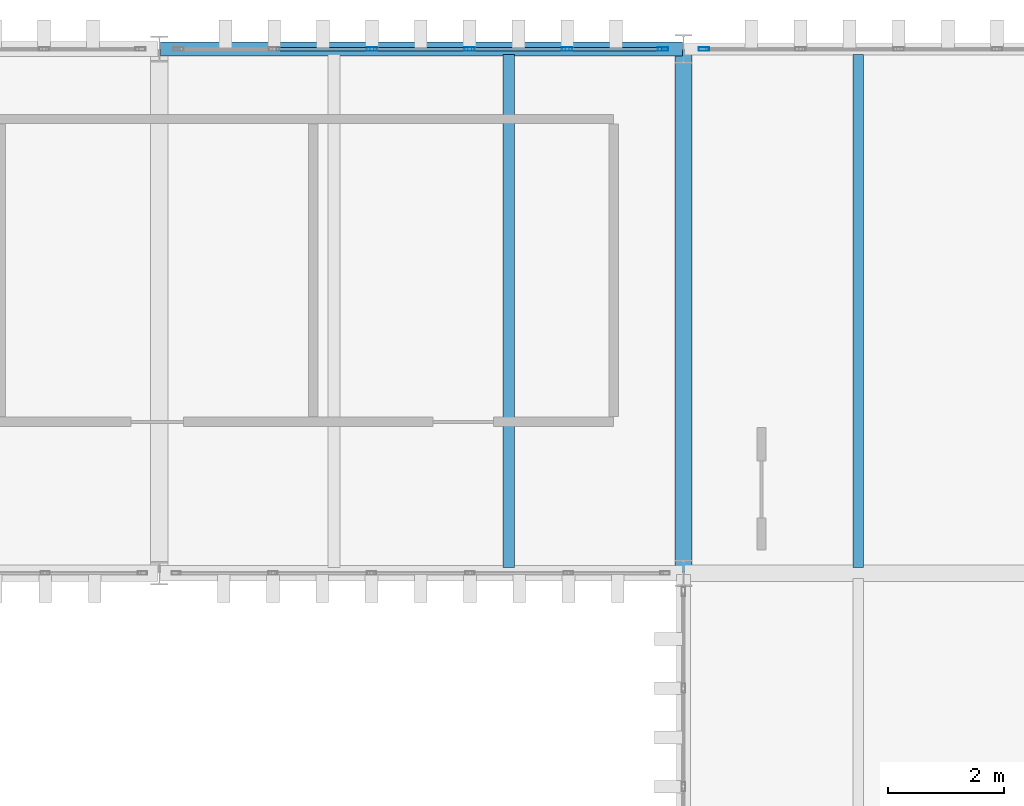
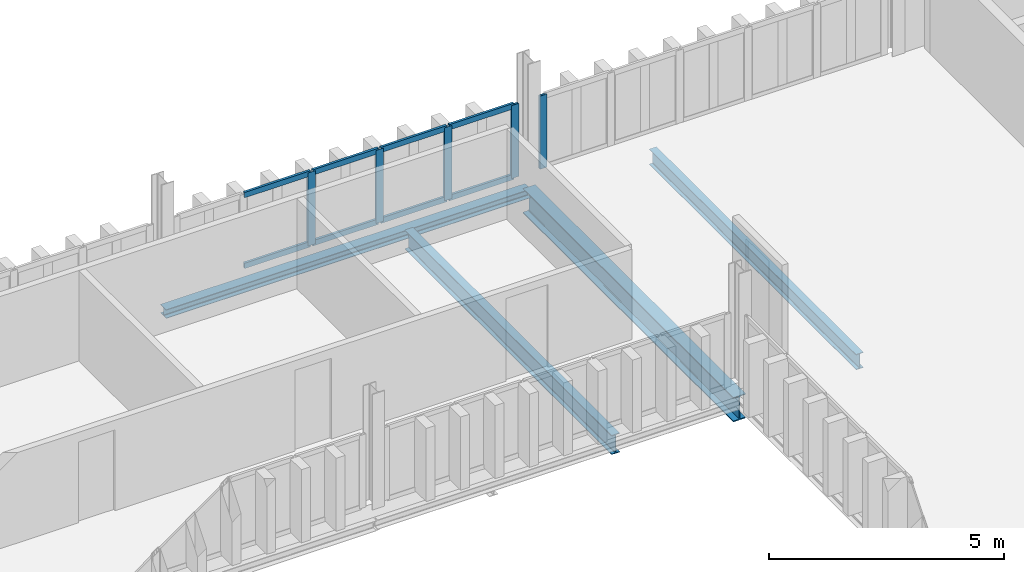
# One storey, part 41 of 58: 13 members, 4 beams, 2 elements without a shape of their own.
"""IFC4 building model written with IfcOpenShell, lengths in metres."""

from ifc_helpers import new_model, si_unit, direction, frame, origin, origin_2d, place, context, subcontext, project, spatial, hollow_rectangle, i_section, extrude, material, layer, layer_set, material_profile, profile_set, type_object, element, aggregate, save


model = new_model("IFC4")

# Units and contexts
model_context = context("Model", 3, precision=1e-05, world=origin(), true_north=direction((0.0, 1.0)))
body_context = subcontext(model_context, "Body", "Model", "MODEL_VIEW")
ifc_project = project(units=[si_unit("LENGTHUNIT", "METRE"), si_unit("AREAUNIT", "SQUARE_METRE"), si_unit("VOLUMEUNIT", "CUBIC_METRE"), si_unit("PLANEANGLEUNIT", "RADIAN"), si_unit("MASSUNIT", "GRAM", prefix="KILO")], contexts=[model_context])

# Site, building, storey
site_placement = place(None, origin())
site = spatial("IfcSite", under=ifc_project, at=site_placement, CompositionType="ELEMENT")
building_placement = place(site_placement, origin())
building = spatial("IfcBuilding", under=site, at=building_placement, Name="Barlavento Convention Centre", CompositionType="ELEMENT")
storey_placement = place(building_placement, frame((0.0, 0.0, 26.800048828125)))
storey = spatial("IfcBuildingStorey", under=building, at=storey_placement, Name="L05", CompositionType="ELEMENT", Elevation=26.800048828125)

# Curtain wall, members
ifc_material_1 = material(Name="Powder-coated aluminium and Low-E glass", Category="aluminium")
ifc_layer = layer(ifc_material_1, 0.18994140625)
ifc_layer_set = layer_set([ifc_layer], Name="ARC-CW-CONF-L05")
curtain_wall_type = type_object("IfcCurtainWallType", Name="ARC-CW-CONF-L05", PredefinedType="NOTDEFINED", material=ifc_layer_set)
curtain_wall_1_placement = place(storey_placement, origin())
curtain_wall_1 = element("IfcCurtainWall", 1, at=curtain_wall_1_placement, inside=storey, type_object=curtain_wall_type, Name="L05 unitised curtain wall CW10", PredefinedType="NOTDEFINED")
ifc_material_2 = material(Name="Powder-coated aluminium", Category="aluminium")
ifc_material_profile_1 = material_profile(ifc_material_2, hollow_rectangle(XDim=0.06005859375, YDim=0.179931640625, WallThickness=0.0048828125, at=origin_2d()), Name="AL-MULL 60x180x5")
ifc_profile_set_1 = profile_set([ifc_material_profile_1], Name="Powder-coated aluminium")
member_type_1 = type_object("IfcMemberType", Name="ARC-CWM-60X180", PredefinedType="MULLION", material=ifc_profile_set_1)
member_1_placement = place(storey_placement, frame((165.64892578125, 99.0, 0.0), z_axis=(0.0, 0.0, 1.0), x_axis=(0.0, 1.0, 0.0)))
member_1 = element("IfcMember", 2, at=member_1_placement, type_object=member_type_1, Name="CW10 mullion 3", PredefinedType="MULLION", context=body_context, shape_type="SweptSolid", body=[
    extrude(hollow_rectangle(XDim=0.06005859375, YDim=0.179931640625, WallThickness=0.0048828125, at=origin_2d()), origin(), (0.0, 0.0, 1.0), 1.89990234375),
])
member_2_placement = place(storey_placement, frame((167.325927734375, 99.0, 0.0), z_axis=(0.0, 0.0, 1.0), x_axis=(0.0, 1.0, 0.0)))
member_2 = element("IfcMember", 3, at=member_2_placement, type_object=member_type_1, Name="CW10 mullion 4", PredefinedType="MULLION", context=body_context, shape_type="SweptSolid", body=[
    extrude(hollow_rectangle(XDim=0.06005859375, YDim=0.179931640625, WallThickness=0.0048828125, at=origin_2d()), origin(), (0.0, 0.0, 1.0), 1.89990234375),
])
member_3_placement = place(storey_placement, frame((169.0029296875, 99.0, 0.0), z_axis=(0.0, 0.0, 1.0), x_axis=(0.0, 1.0, 0.0)))
member_3 = element("IfcMember", 4, at=member_3_placement, type_object=member_type_1, Name="CW10 mullion 5", PredefinedType="MULLION", context=body_context, shape_type="SweptSolid", body=[
    extrude(hollow_rectangle(XDim=0.06005859375, YDim=0.179931640625, WallThickness=0.0048828125, at=origin_2d()), origin(), (0.0, 0.0, 1.0), 1.89990234375),
])
member_4_placement = place(storey_placement, frame((170.64990234375, 99.0, 0.0), z_axis=(0.0, 0.0, 1.0), x_axis=(0.0, 1.0, 0.0)))
member_4 = element("IfcMember", 5, at=member_4_placement, type_object=member_type_1, Name="CW10 mullion 6", PredefinedType="MULLION", context=body_context, shape_type="SweptSolid", body=[
    extrude(hollow_rectangle(XDim=0.06005859375, YDim=0.179931640625, WallThickness=0.0048828125, at=origin_2d()), origin(), (0.0, 0.0, 1.0), 1.89990234375),
])

# Curtain wall, member
curtain_wall_2_placement = place(storey_placement, origin())
curtain_wall_2 = element("IfcCurtainWall", 6, at=curtain_wall_2_placement, inside=storey, type_object=curtain_wall_type, Name="L05 unitised curtain wall CW10", PredefinedType="NOTDEFINED")
member_5_placement = place(storey_placement, frame((171.35009765625, 99.0, 0.0), z_axis=(0.0, 0.0, 1.0), x_axis=(0.0, 1.0, 0.0)))
member_5 = element("IfcMember", 7, at=member_5_placement, type_object=member_type_1, Name="CW10 mullion 1", PredefinedType="MULLION", context=body_context, shape_type="SweptSolid", body=[
    extrude(hollow_rectangle(XDim=0.06005859375, YDim=0.179931640625, WallThickness=0.0048828125, at=origin_2d()), origin(), (0.0, 0.0, 1.0), 1.89990234375),
])
aggregate(curtain_wall_2, [member_5])

# Member
ifc_material_profile_2 = material_profile(ifc_material_2, hollow_rectangle(XDim=0.06005859375, YDim=0.139892578125, WallThickness=0.00390625, at=origin_2d()), Name="AL-TRAN 60x140x4")
ifc_profile_set_2 = profile_set([ifc_material_profile_2], Name="Powder-coated aluminium")
member_type_2 = type_object("IfcMemberType", Name="ARC-CWT-60X140", PredefinedType="USERDEFINED", material=ifc_profile_set_2)
member_6_placement = place(storey_placement, frame((164.001953125, 99.0, 0.030029296875), z_axis=(1.0, 0.0, 0.0), x_axis=(0.0, 1.0, 0.0)))
member_6 = element("IfcMember", 8, at=member_6_placement, type_object=member_type_2, Name="CW10 transom 2.1", ObjectType="TRANSOM", PredefinedType="USERDEFINED", context=body_context, shape_type="SweptSolid", body=[
    extrude(hollow_rectangle(XDim=0.06005859375, YDim=0.139892578125, WallThickness=0.00390625, at=origin_2d()), origin(), (0.0, 0.0, 1.0), 1.616943359375),
])

member_7_placement = place(storey_placement, frame((164.001953125, 99.0, 1.869873046875), z_axis=(1.0, 0.0, 0.0), x_axis=(0.0, 1.0, 0.0)))
member_7 = element("IfcMember", 9, at=member_7_placement, type_object=member_type_2, Name="CW10 transom 2.2", ObjectType="TRANSOM", PredefinedType="USERDEFINED", context=body_context, shape_type="SweptSolid", body=[
    extrude(hollow_rectangle(XDim=0.06005859375, YDim=0.139892578125, WallThickness=0.00390625, at=origin_2d()), origin(), (0.0, 0.0, 1.0), 1.616943359375),
])

member_8_placement = place(storey_placement, frame((165.678955078125, 99.0, 0.030029296875), z_axis=(1.0, 0.0, 0.0), x_axis=(0.0, 1.0, 0.0)))
member_8 = element("IfcMember", 10, at=member_8_placement, type_object=member_type_2, Name="CW10 transom 3.1", ObjectType="TRANSOM", PredefinedType="USERDEFINED", context=body_context, shape_type="SweptSolid", body=[
    extrude(hollow_rectangle(XDim=0.06005859375, YDim=0.139892578125, WallThickness=0.00390625, at=origin_2d()), origin(), (0.0, 0.0, 1.0), 1.616943359375),
])

member_9_placement = place(storey_placement, frame((165.678955078125, 99.0, 1.869873046875), z_axis=(1.0, 0.0, 0.0), x_axis=(0.0, 1.0, 0.0)))
member_9 = element("IfcMember", 11, at=member_9_placement, type_object=member_type_2, Name="CW10 transom 3.2", ObjectType="TRANSOM", PredefinedType="USERDEFINED", context=body_context, shape_type="SweptSolid", body=[
    extrude(hollow_rectangle(XDim=0.06005859375, YDim=0.139892578125, WallThickness=0.00390625, at=origin_2d()), origin(), (0.0, 0.0, 1.0), 1.616943359375),
])

member_10_placement = place(storey_placement, frame((167.35595703125, 99.0, 0.030029296875), z_axis=(1.0, 0.0, 0.0), x_axis=(0.0, 1.0, 0.0)))
member_10 = element("IfcMember", 12, at=member_10_placement, type_object=member_type_2, Name="CW10 transom 4.1", ObjectType="TRANSOM", PredefinedType="USERDEFINED", context=body_context, shape_type="SweptSolid", body=[
    extrude(hollow_rectangle(XDim=0.06005859375, YDim=0.139892578125, WallThickness=0.00390625, at=origin_2d()), origin(), (0.0, 0.0, 1.0), 1.616943359375),
])

member_11_placement = place(storey_placement, frame((167.35595703125, 99.0, 1.869873046875), z_axis=(1.0, 0.0, 0.0), x_axis=(0.0, 1.0, 0.0)))
member_11 = element("IfcMember", 13, at=member_11_placement, type_object=member_type_2, Name="CW10 transom 4.2", ObjectType="TRANSOM", PredefinedType="USERDEFINED", context=body_context, shape_type="SweptSolid", body=[
    extrude(hollow_rectangle(XDim=0.06005859375, YDim=0.139892578125, WallThickness=0.00390625, at=origin_2d()), origin(), (0.0, 0.0, 1.0), 1.616943359375),
])

member_12_placement = place(storey_placement, frame((169.032958984375, 99.0, 0.030029296875), z_axis=(1.0, 0.0, 0.0), x_axis=(0.0, 1.0, 0.0)))
member_12 = element("IfcMember", 14, at=member_12_placement, type_object=member_type_2, Name="CW10 transom 5.1", ObjectType="TRANSOM", PredefinedType="USERDEFINED", context=body_context, shape_type="SweptSolid", body=[
    extrude(hollow_rectangle(XDim=0.06005859375, YDim=0.139892578125, WallThickness=0.00390625, at=origin_2d()), origin(), (0.0, 0.0, 1.0), 1.587158203125),
])

member_13_placement = place(storey_placement, frame((169.032958984375, 99.0, 1.869873046875), z_axis=(1.0, 0.0, 0.0), x_axis=(0.0, 1.0, 0.0)))
member_13 = element("IfcMember", 15, at=member_13_placement, type_object=member_type_2, Name="CW10 transom 5.2", ObjectType="TRANSOM", PredefinedType="USERDEFINED", context=body_context, shape_type="SweptSolid", body=[
    extrude(hollow_rectangle(XDim=0.06005859375, YDim=0.139892578125, WallThickness=0.00390625, at=origin_2d()), origin(), (0.0, 0.0, 1.0), 1.587158203125),
])

aggregate(curtain_wall_1, [member_1, member_2, member_3, member_4, member_6, member_7, member_8, member_9, member_10, member_11, member_12, member_13])

# Beams
ifc_material_3 = material(Name="Steel S355", Category="steel")
ifc_material_profile_3 = material_profile(ifc_material_3, i_section(OverallWidth=0.179931640625, OverallDepth=0.39990234375, WebThickness=0.008544921875, FlangeThickness=0.013427734375, FilletRadius=0.02099609375, at=origin_2d()), Name="IPE 400")
ifc_profile_set_3 = profile_set([ifc_material_profile_3], Name="Steel S355")
beam_type_1 = type_object("IfcBeamType", Name="STR-BM-JST-IPE400", PredefinedType="JOIST", material=ifc_profile_set_3)
beam_1_placement = place(storey_placement, frame((174.0, 90.094970703125, -0.56005859375), z_axis=(0.0, 1.0, 0.0), x_axis=(-1.0, 0.0, 0.0)))
element("IfcBeam", 16, at=beam_1_placement, inside=storey, type_object=beam_type_1, Name="L05 composite floor joist SJ04", PredefinedType="JOIST", context=body_context, shape_type="SweptSolid", body=[
    extrude(i_section(OverallWidth=0.179931640625, OverallDepth=0.39990234375, WebThickness=0.008544921875, FlangeThickness=0.013427734375, FilletRadius=0.02099609375, at=origin_2d()), origin(), (0.0, 0.0, 1.0), 8.81005859375),
])
ifc_material_profile_4 = material_profile(ifc_material_3, i_section(OverallWidth=0.199951171875, OverallDepth=0.5, WebThickness=0.01025390625, FlangeThickness=0.01611328125, FilletRadius=0.02099609375, at=origin_2d()), Name="IPE 500")
ifc_profile_set_4 = profile_set([ifc_material_profile_4], Name="Steel S355")
beam_type_2 = type_object("IfcBeamType", Name="STR-BM-JST-IPE500", PredefinedType="JOIST", material=ifc_profile_set_4)
beam_2_placement = place(storey_placement, frame((168.0, 90.094970703125, -0.610107421875), z_axis=(0.0, 1.0, 0.0), x_axis=(-1.0, 0.0, 0.0)))
element("IfcBeam", 17, at=beam_2_placement, inside=storey, type_object=beam_type_2, Name="L05 composite floor joist SJ02", PredefinedType="JOIST", context=body_context, shape_type="SweptSolid", body=[
    extrude(i_section(OverallWidth=0.199951171875, OverallDepth=0.5, WebThickness=0.01025390625, FlangeThickness=0.01611328125, FilletRadius=0.02099609375, at=origin_2d()), origin(), (0.0, 0.0, 1.0), 8.81005859375),
])
ifc_material_profile_5 = material_profile(ifc_material_3, i_section(OverallWidth=0.300048828125, OverallDepth=0.639892578125, WebThickness=0.013427734375, FlangeThickness=0.02587890625, FilletRadius=0.027099609375, at=origin_2d()), Name="HEA 650")
ifc_profile_set_5 = profile_set([ifc_material_profile_5], Name="Steel S355")
beam_type_3 = type_object("IfcBeamType", Name="STR-BM-PRI-HEA650", PredefinedType="BEAM", material=ifc_profile_set_5)
beam_3_placement = place(storey_placement, frame((171.0, 90.02001953125, -0.679931640625), z_axis=(0.0, 1.0, 0.0), x_axis=(-1.0, 0.0, 0.0)))
element("IfcBeam", 18, at=beam_3_placement, inside=storey, type_object=beam_type_3, Name="L05 grid girder BG17", PredefinedType="BEAM", context=body_context, shape_type="SweptSolid", body=[
    extrude(i_section(OverallWidth=0.300048828125, OverallDepth=0.639892578125, WebThickness=0.013427734375, FlangeThickness=0.02587890625, FilletRadius=0.027099609375, at=origin_2d()), origin(), (0.0, 0.0, 1.0), 8.9599609375),
])
ifc_material_profile_6 = material_profile(ifc_material_3, i_section(OverallWidth=0.239990234375, OverallDepth=0.22998046875, WebThickness=0.007568359375, FlangeThickness=0.011962890625, FilletRadius=0.02099609375, at=origin_2d()), Name="HEA 240")
ifc_profile_set_6 = profile_set([ifc_material_profile_6], Name="Steel S355")
beam_type_4 = type_object("IfcBeamType", Name="STR-BM-SPN-HEA240", PredefinedType="SPANDREL", material=ifc_profile_set_6)
beam_4_placement = place(storey_placement, frame((162.02001953125, 99.0, -0.47509765625), z_axis=(1.0, 0.0, 0.0), x_axis=(0.0, 1.0, 0.0)))
element("IfcBeam", 19, at=beam_4_placement, inside=storey, type_object=beam_type_4, Name="L05 primary girder SP05", PredefinedType="SPANDREL", context=body_context, shape_type="SweptSolid", body=[
    extrude(i_section(OverallWidth=0.239990234375, OverallDepth=0.22998046875, WebThickness=0.007568359375, FlangeThickness=0.011962890625, FilletRadius=0.02099609375, at=origin_2d()), origin(), (0.0, 0.0, 1.0), 8.9599609375),
])

save(model, "model.ifc")
